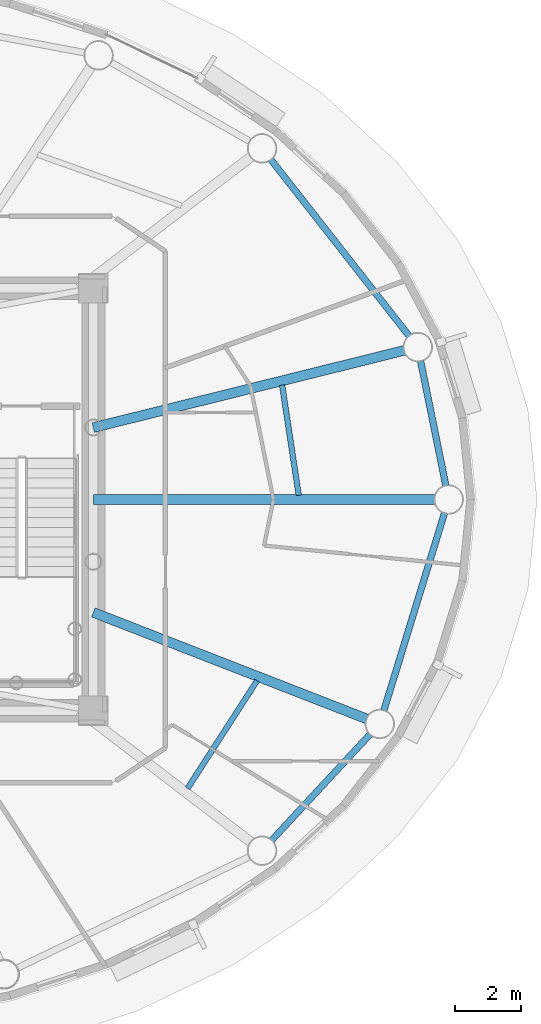
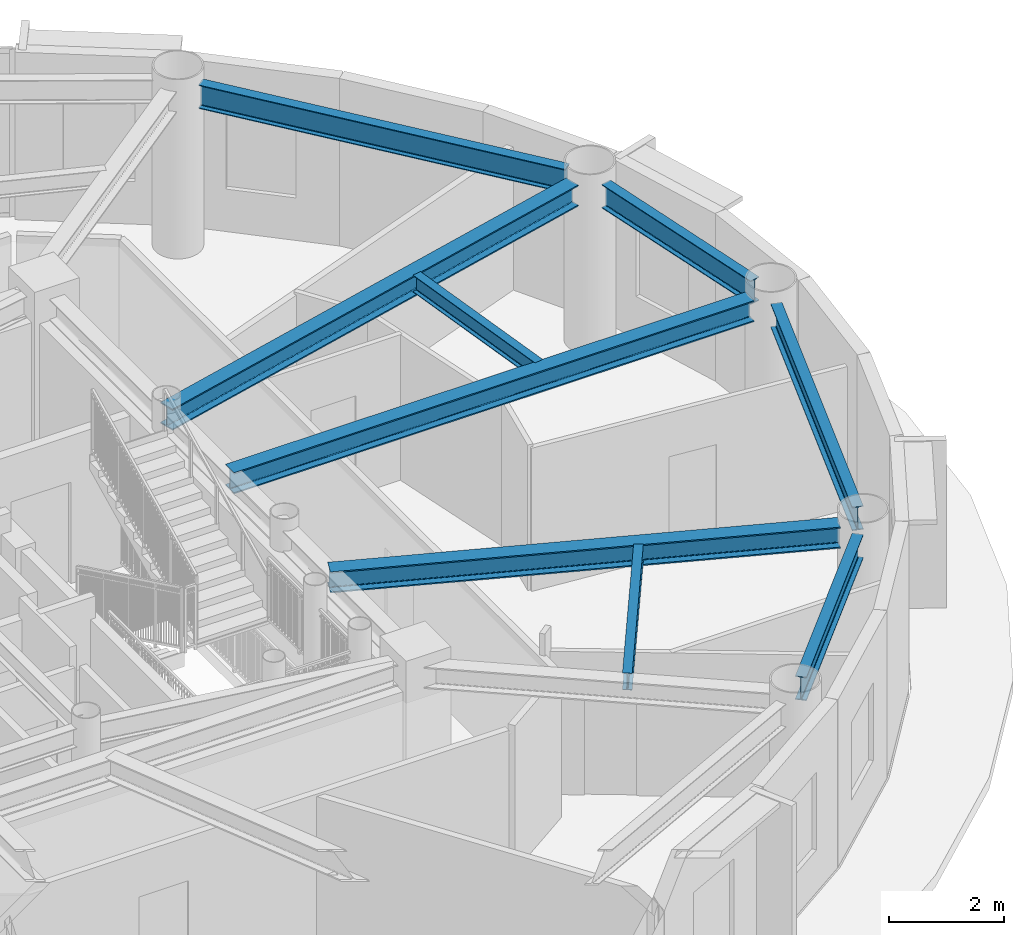
# One storey, part 4 of 17: 9 beams.
"""IFC4 building model written with IfcOpenShell, lengths in metres."""

import ifcopenshell
import ifcopenshell.guid

model = None  # the IFC model being written
_history = None  # IfcOwnerHistory: only IFC2X3 demands one
_inside = {}  # id of a spatial element -> (the spatial element, [elements in it])
_under = {}  # id of a project, library or spatial element -> (it, [spatial elements below it])
_declared = {}  # id of a project -> (the project, [libraries it declares])
_typed = {}  # id of a type object -> (the type object, [elements of that type])
_made_of = {}  # id of a material, layer set ... -> (it, [elements and type objects made of it])


def new_model(schema):
    """Start an empty IFC model of exactly this schema.

    Asked for "IFC4X3", IfcOpenShell would pick the latest addendum, in which some entities
    have other attributes; the version numbers below select the first issue.
    IFC2X3 requires an IfcOwnerHistory on every rooted entity: one is made here for all.
    """
    global model, _history
    if schema == "IFC4X3":
        model = ifcopenshell.file(schema_version=(4, 3, 0, 0))
    else:
        model = ifcopenshell.file(schema=schema)
    _inside.clear()
    _under.clear()
    _declared.clear()
    _typed.clear()
    _made_of.clear()
    _history = None
    if model.schema == "IFC2X3":
        org = make("IfcOrganization", Name="unknown")
        user = make(
            "IfcPersonAndOrganization",
            ThePerson=make("IfcPerson", FamilyName="unknown"),
            TheOrganization=org,
        )
        app = make(
            "IfcApplication",
            ApplicationDeveloper=org,
            Version="unknown",
            ApplicationFullName="unknown",
            ApplicationIdentifier="unknown",
        )
        _history = make(
            "IfcOwnerHistory",
            OwningUser=user,
            OwningApplication=app,
            ChangeAction="ADDED",
            CreationDate=0,
        )
    return model


def make(cls, **values):
    """One entity of the class cls with the attributes given. An attribute that is None is left unset."""
    return model.create_entity(
        cls, **{name: value for name, value in values.items() if value is not None}
    )


def rooted(cls, **values):
    """An entity with a GlobalId (a new one), such as an element, a storey or a relation."""
    return make(cls, GlobalId=ifcopenshell.guid.new(), OwnerHistory=_history, **values)


def si_unit(unit_type, name, prefix=None):
    """IfcSIUnit, for example si_unit("LENGTHUNIT", "METRE", prefix="MILLI")."""
    return make("IfcSIUnit", UnitType=unit_type, Prefix=prefix, Name=name)


def assignment(units):
    """IfcUnitAssignment: the units of a project."""
    return None if units is None else make("IfcUnitAssignment", Units=units)


def point(xyz):
    """IfcCartesianPoint."""
    return None if xyz is None else make("IfcCartesianPoint", Coordinates=xyz)


def direction(xyz):
    """IfcDirection."""
    return None if xyz is None else make("IfcDirection", DirectionRatios=xyz)


def frame(location, z_axis=None, x_axis=None):
    """IfcAxis2Placement3D, a coordinate frame: its origin and axes. An axis left out is left unset."""
    return make(
        "IfcAxis2Placement3D",
        Location=point(location),
        Axis=direction(z_axis),
        RefDirection=direction(x_axis),
    )


def frame_2d(location, x_axis=None):
    """IfcAxis2Placement2D, a coordinate frame in the plane: its origin and x axis."""
    return make(
        "IfcAxis2Placement2D", Location=point(location), RefDirection=direction(x_axis)
    )


def origin():
    """The frame at (0, 0, 0) with its axes left unset."""
    return frame((0.0, 0.0, 0.0))


def origin_2d():
    """The frame at (0, 0) in the plane with its x axis left unset."""
    return frame_2d((0.0, 0.0))


def place(relative_to, where):
    """IfcLocalPlacement: puts the frame where relative to a parent placement (None: the world)."""
    return make(
        "IfcLocalPlacement", PlacementRelTo=relative_to, RelativePlacement=where
    )


def context(
    kind, dimensions, precision=None, world=None, true_north=None, identifier=None
):
    """IfcGeometricRepresentationContext, for example the 3D "Model" context."""
    return make(
        "IfcGeometricRepresentationContext",
        ContextIdentifier=identifier,
        ContextType=kind,
        CoordinateSpaceDimension=dimensions,
        Precision=precision,
        WorldCoordinateSystem=world,
        TrueNorth=true_north,
    )


def subcontext(parent, identifier, kind, view, scale=None):
    """IfcGeometricRepresentationSubContext, for example "Body" below "Model"."""
    return make(
        "IfcGeometricRepresentationSubContext",
        ContextIdentifier=identifier,
        ContextType=kind,
        ParentContext=parent,
        TargetScale=scale,
        TargetView=view,
    )


def project(units=None, contexts=None):
    """IfcProject with its units and contexts."""
    return rooted(
        "IfcProject",
        Name="project",
        RepresentationContexts=contexts,
        UnitsInContext=assignment(units),
    )


def spatial(cls, under=None, at=None, **own):
    """A site, building, storey or space (cls), placed at a placement, below another one or the project."""
    s = rooted(cls, ObjectPlacement=at, **own)
    if under is not None:
        _under.setdefault(under.id(), (under, []))[1].append(s)
    return s


def profile(cls, at=None, kind="AREA", **sizes):
    """A parametric profile (cls). Its sizes go by their IFC names, for example OverallWidth=200.0."""
    return make(cls, ProfileType=kind, Position=at, **sizes)


def i_section(**sizes):
    """IfcIShapeProfileDef."""
    return profile("IfcIShapeProfileDef", **sizes)


def extrude(swept, where, along, depth):
    """IfcExtrudedAreaSolid: the profile swept, set in the frame where, extruded along a direction by depth."""
    return make(
        "IfcExtrudedAreaSolid",
        SweptArea=swept,
        Position=where,
        ExtrudedDirection=direction(along),
        Depth=depth,
    )


def shape(context_of_items, identifier, shape_type, items):
    """IfcShapeRepresentation: the items that make up one representation, for example the "Body"."""
    return make(
        "IfcShapeRepresentation",
        ContextOfItems=context_of_items,
        RepresentationIdentifier=identifier,
        RepresentationType=shape_type,
        Items=items,
    )


def material(Name=None, Category=None):
    """IfcMaterial."""
    return make("IfcMaterial", Name=Name, Category=Category)


def material_profile(
    of_material, cross_section, Name=None, Category=None, Priority=None
):
    """IfcMaterialProfile: a cross section and its material."""
    return make(
        "IfcMaterialProfile",
        Name=Name,
        Material=of_material,
        Profile=cross_section,
        Priority=Priority,
        Category=Category,
    )


def profile_set(profiles, Name=None, composite=None):
    """IfcMaterialProfileSet."""
    return make(
        "IfcMaterialProfileSet",
        Name=Name,
        MaterialProfiles=profiles,
        CompositeProfile=composite,
    )


def made_of(thing, what):
    """Note that an element or type object is made of a material, layer set ...; save() writes the relation."""
    if what is not None:
        _made_of.setdefault(what.id(), (what, []))[1].append(thing)
    return thing


def type_object(cls, material=None, **own):
    """A type object (cls), such as IfcWallType, which elements share."""
    return made_of(rooted(cls, **own), material)


def element(
    cls,
    number,
    at=None,
    inside=None,
    cuts=None,
    type_object=None,
    material=None,
    context=None,
    identifier="Body",
    shape_type=None,
    held_by="IfcProductDefinitionShape",
    body=None,
    shapes=None,
    **own,
):
    """One element of the class cls, such as IfcWall. Its Tag is "e" and its number.

    at: its placement. inside: the storey or other place that contains it. cuts: it is an
    opening in that element (IfcRelVoidsElement). A single representation is given by context,
    identifier, shape_type and body (its items); several are given by shapes. held_by: the class
    of the entity that holds the representations. save() writes the other relations.
    """
    e = rooted(cls, Tag="e%d" % number, ObjectPlacement=at, **own)
    if body is not None:
        shapes = [shape(context, identifier, shape_type, body)]
    if shapes is not None:
        e.Representation = make(held_by, Representations=shapes)
    if inside is not None:
        _inside.setdefault(inside.id(), (inside, []))[1].append(e)
    if cuts is not None:
        rooted(
            "IfcRelVoidsElement", RelatingBuildingElement=cuts, RelatedOpeningElement=e
        )
    if type_object is not None:
        _typed.setdefault(type_object.id(), (type_object, []))[1].append(e)
    return made_of(e, material)


def aggregate(whole, parts):
    """IfcRelAggregates: a whole, such as a stair, and the parts it consists of."""
    return rooted("IfcRelAggregates", RelatingObject=whole, RelatedObjects=parts)


def save(model, path):
    """Write the relations noted so far, then the file.

    IfcRelAggregates (storeys below a building ...), IfcRelContainedInSpatialStructure (elements
    in a storey), IfcRelDefinesByType, IfcRelAssociatesMaterial and IfcRelDeclares: one each for
    every whole, place, type object, material and project.
    """
    for whole, parts in _under.values():
        aggregate(whole, parts)
    for where, things in _inside.values():
        rooted(
            "IfcRelContainedInSpatialStructure",
            RelatedElements=things,
            RelatingStructure=where,
        )
    for kind, things in _typed.values():
        rooted("IfcRelDefinesByType", RelatedObjects=things, RelatingType=kind)
    for what, things in _made_of.values():
        rooted("IfcRelAssociatesMaterial", RelatedObjects=things, RelatingMaterial=what)
    for by, libraries in _declared.values():
        rooted("IfcRelDeclares", RelatingContext=by, RelatedDefinitions=libraries)
    model.write(path)


model = new_model("IFC4")

# Units and contexts
model_context = context("Model", 3, precision=1e-05, world=origin(), true_north=direction((0.0, 1.0)))
body_context = subcontext(model_context, "Body", "Model", "MODEL_VIEW")
ifc_project = project(units=[si_unit("LENGTHUNIT", "METRE"), si_unit("AREAUNIT", "SQUARE_METRE"), si_unit("VOLUMEUNIT", "CUBIC_METRE"), si_unit("PLANEANGLEUNIT", "RADIAN"), si_unit("MASSUNIT", "GRAM", prefix="KILO")], contexts=[model_context])

# Site, building, storey
site_placement = place(None, origin())
site = spatial("IfcSite", under=ifc_project, at=site_placement, CompositionType="ELEMENT")
building_placement = place(site_placement, origin())
building = spatial("IfcBuilding", under=site, at=building_placement, Name="Linh Dai School and Residence Tower", CompositionType="ELEMENT")
storey_placement = place(building_placement, frame((0.0, 0.0, 324.0)))
storey = spatial("IfcBuildingStorey", under=building, at=storey_placement, Name="L80", CompositionType="ELEMENT", Elevation=324.0)

# Beams
ifc_material = material(Name="Structural Steel S355JR", Category="steel")
ifc_material_profile_1 = material_profile(ifc_material, i_section(OverallWidth=0.199951171875, OverallDepth=0.5, WebThickness=0.01025390625, FlangeThickness=0.01611328125, FilletRadius=0.02099609375, at=origin_2d()), Name="IPE 500")
ifc_profile_set_1 = profile_set([ifc_material_profile_1], Name="Structural Steel S355JR")
beam_type_1 = type_object("IfcBeamType", Name="BM-RB50", PredefinedType="BEAM", material=ifc_profile_set_1)
beam_1_placement = place(storey_placement, frame((55.61669921875, 27.41162109375, 3.300048828125), z_axis=(-0.198409502721, 0.980119211744, 0.0), x_axis=(-0.980119211744, -0.198409502721, 0.0)))
element("IfcBeam", 1, at=beam_1_placement, inside=storey, type_object=beam_type_1, Name="L80 Perimeter Elliptical Ring Beam 01", PredefinedType="BEAM", context=body_context, shape_type="SweptSolid", body=[
    extrude(i_section(OverallWidth=0.199951171875, OverallDepth=0.5, WebThickness=0.01025390625, FlangeThickness=0.01611328125, FilletRadius=0.02099609375, at=origin_2d()), origin(), (0.0, 0.0, 1.0), 3.9091796875),
])
beam_2_placement = place(storey_placement, frame((54.498779296875, 31.9853515625, 3.300048828125), z_axis=(-0.616844770958, 0.787084829318, 0.0), x_axis=(-0.787084829318, -0.616844770958, 0.0)))
element("IfcBeam", 2, at=beam_2_placement, inside=storey, type_object=beam_type_1, Name="L80 Perimeter Elliptical Ring Beam 02", PredefinedType="BEAM", context=body_context, shape_type="SweptSolid", body=[
    extrude(i_section(OverallWidth=0.199951171875, OverallDepth=0.5, WebThickness=0.01025390625, FlangeThickness=0.01611328125, FilletRadius=0.02099609375, at=origin_2d()), origin(), (0.0, 0.0, 1.0), 6.869384765625),
])
beam_3_placement = place(storey_placement, frame((50.2880859375, 16.5849609375, 3.300048828125), z_axis=(0.680339330162, 0.732897261446, 0.0), x_axis=(-0.732897261446, 0.680339330162, 0.0)))
element("IfcBeam", 3, at=beam_3_placement, inside=storey, type_object=beam_type_1, Name="L80 Perimeter Elliptical Ring Beam 15", PredefinedType="BEAM", context=body_context, shape_type="SweptSolid", body=[
    extrude(i_section(OverallWidth=0.199951171875, OverallDepth=0.5, WebThickness=0.01025390625, FlangeThickness=0.01611328125, FilletRadius=0.02099609375, at=origin_2d()), origin(), (0.0, 0.0, 1.0), 4.440673828125),
])
beam_4_placement = place(storey_placement, frame((53.718505859375, 20.548828125, 3.300048828125), z_axis=(0.293606003102, 0.955926521728, 0.0), x_axis=(-0.955926521728, 0.293606003102, 0.0)))
element("IfcBeam", 4, at=beam_4_placement, inside=storey, type_object=beam_type_1, Name="L80 Perimeter Elliptical Ring Beam 16", PredefinedType="BEAM", context=body_context, shape_type="SweptSolid", body=[
    extrude(i_section(OverallWidth=0.199951171875, OverallDepth=0.5, WebThickness=0.01025390625, FlangeThickness=0.01611328125, FilletRadius=0.02099609375, at=origin_2d()), origin(), (0.0, 0.0, 1.0), 6.32861328125),
])
ifc_material_profile_2 = material_profile(ifc_material, i_section(OverallWidth=0.300048828125, OverallDepth=0.449951171875, WebThickness=0.013916015625, FlangeThickness=0.02587890625, FilletRadius=0.027099609375, at=origin_2d()), Name="HEB 450")
ifc_profile_set_2 = profile_set([ifc_material_profile_2], Name="Structural Steel S355JR")
beam_type_2 = type_object("IfcBeamType", Name="BM-RG45", PredefinedType="BEAM", material=ifc_profile_set_2)
beam_5_placement = place(storey_placement, frame((44.85009765625, 27.0, 3.324951171875), z_axis=(1.0, 0.0, 0.0), x_axis=(0.0, 1.0, 0.0)))
element("IfcBeam", 5, at=beam_5_placement, inside=storey, type_object=beam_type_2, Name="L80 Primary Radial Floor Girder 01", PredefinedType="BEAM", context=body_context, shape_type="SweptSolid", body=[
    extrude(i_section(OverallWidth=0.300048828125, OverallDepth=0.449951171875, WebThickness=0.013916015625, FlangeThickness=0.02587890625, FilletRadius=0.027099609375, at=origin_2d()), origin(), (0.0, 0.0, 1.0), 10.429931640625),
])
beam_6_placement = place(storey_placement, frame((44.85009765625, 29.196044921875, 3.324951171875), z_axis=(0.970563583495, 0.24084503398, 0.0), x_axis=(-0.24084503398, 0.970563583495, 0.0)))
element("IfcBeam", 6, at=beam_6_placement, inside=storey, type_object=beam_type_2, Name="L80 Primary Radial Floor Girder 02", PredefinedType="BEAM", context=body_context, shape_type="SweptSolid", body=[
    extrude(i_section(OverallWidth=0.300048828125, OverallDepth=0.449951171875, WebThickness=0.013916015625, FlangeThickness=0.02587890625, FilletRadius=0.027099609375, at=origin_2d()), origin(), (0.0, 0.0, 1.0), 9.7880859375),
])
beam_7_placement = place(storey_placement, frame((44.85009765625, 23.55322265625, 3.324951171875), z_axis=(0.931822607816, -0.362914077384, 0.0), x_axis=(0.362914077384, 0.931822607816, 0.0)))
element("IfcBeam", 7, at=beam_7_placement, inside=storey, type_object=beam_type_2, Name="L80 Primary Radial Floor Girder 16", PredefinedType="BEAM", context=body_context, shape_type="SweptSolid", body=[
    extrude(i_section(OverallWidth=0.300048828125, OverallDepth=0.449951171875, WebThickness=0.013916015625, FlangeThickness=0.02587890625, FilletRadius=0.027099609375, at=origin_2d()), origin(), (0.0, 0.0, 1.0), 8.964599609375),
])
ifc_material_profile_3 = material_profile(ifc_material, i_section(OverallWidth=0.169921875, OverallDepth=0.360107421875, WebThickness=0.008056640625, FlangeThickness=0.0126953125, FilletRadius=0.01806640625, at=origin_2d()), Name="IPE 360")
ifc_profile_set_3 = profile_set([ifc_material_profile_3], Name="Structural Steel S355JR")
beam_type_3 = type_object("IfcBeamType", Name="BM-SB36", PredefinedType="BEAM", material=ifc_profile_set_3)
beam_8_placement = place(storey_placement, frame((51.12353515625, 27.128662109375, 3.3701171875), z_axis=(-0.149150785005, 0.988814463553, 0.0), x_axis=(-0.988814463553, -0.149150785005, 0.0)))
element("IfcBeam", 8, at=beam_8_placement, inside=storey, type_object=beam_type_3, Name="L80 Secondary Circumferential Floor Beam 01", PredefinedType="BEAM", context=body_context, shape_type="SweptSolid", body=[
    extrude(i_section(OverallWidth=0.169921875, OverallDepth=0.360107421875, WebThickness=0.008056640625, FlangeThickness=0.0126953125, FilletRadius=0.01806640625, at=origin_2d()), origin(), (0.0, 0.0, 1.0), 3.403076171875),
])
beam_9_placement = place(storey_placement, frame((47.7294921875, 18.180908203125, 3.3701171875), z_axis=(0.54228601876, 0.840193950143, 0.0), x_axis=(-0.840193950143, 0.54228601876, 0.0)))
element("IfcBeam", 9, at=beam_9_placement, inside=storey, type_object=beam_type_3, Name="L80 Secondary Circumferential Floor Beam 08", PredefinedType="BEAM", context=body_context, shape_type="SweptSolid", body=[
    extrude(i_section(OverallWidth=0.169921875, OverallDepth=0.360107421875, WebThickness=0.008056640625, FlangeThickness=0.0126953125, FilletRadius=0.01806640625, at=origin_2d()), origin(), (0.0, 0.0, 1.0), 3.9130859375),
])

save(model, "model.ifc")
